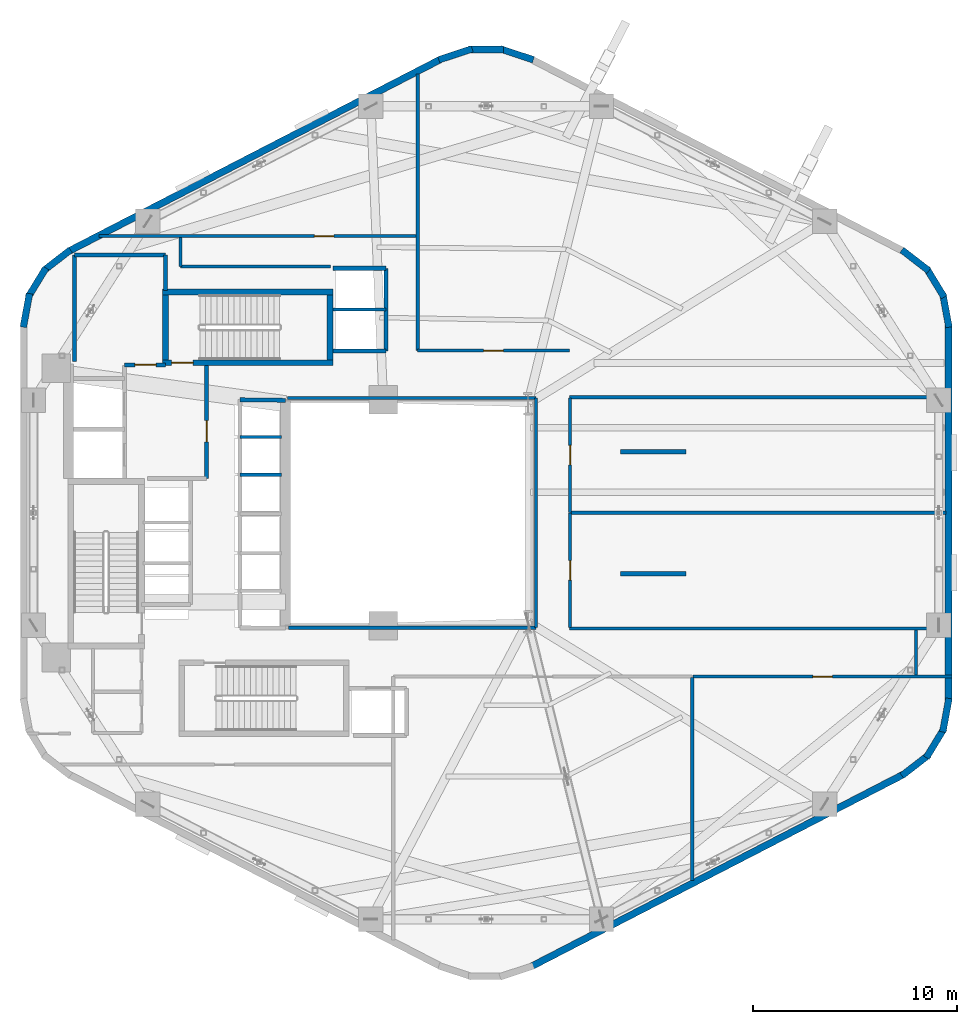
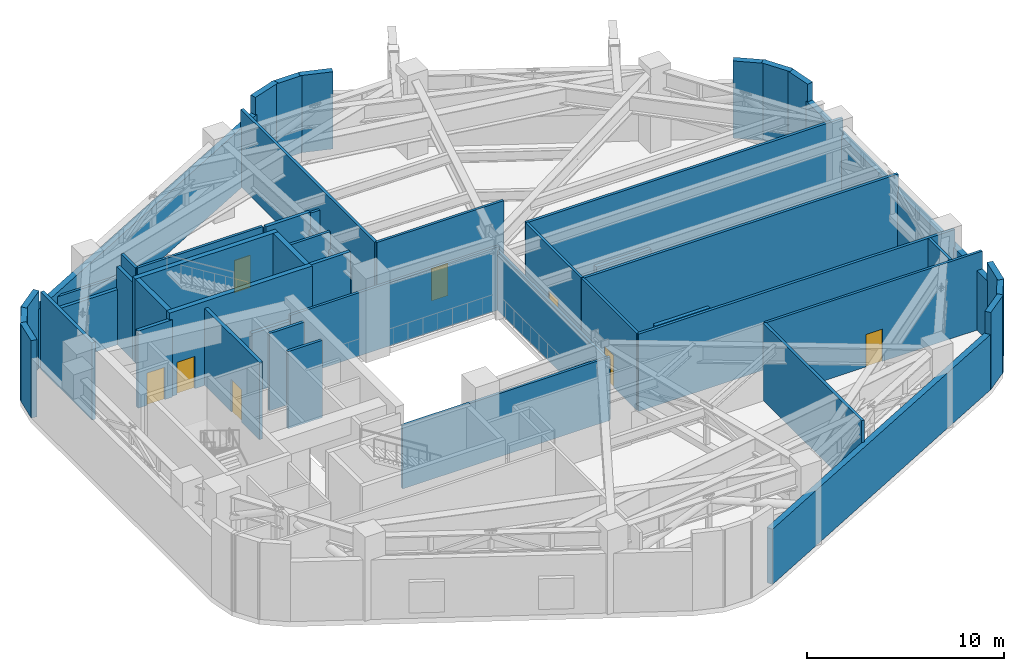
# One storey, part 11 of 14: 49 walls, 8 doors, 8 openings.
"""IFC4 building model written with IfcOpenShell, lengths in metres."""

from ifc_helpers import new_model, si_unit, direction, frame, frame_2d, origin, place, context, subcontext, project, spatial, rectangle, extrude, material, layer, layer_set, type_object, element, fill, save


model = new_model("IFC4")

# Units and contexts
model_context = context("Model", 3, precision=1e-05, world=origin(), true_north=direction((0.0, 1.0)))
body_context = subcontext(model_context, "Body", "Model", "MODEL_VIEW")
ifc_project = project(units=[si_unit("LENGTHUNIT", "METRE"), si_unit("AREAUNIT", "SQUARE_METRE"), si_unit("VOLUMEUNIT", "CUBIC_METRE"), si_unit("PLANEANGLEUNIT", "RADIAN"), si_unit("MASSUNIT", "GRAM", prefix="KILO"), si_unit("THERMODYNAMICTEMPERATUREUNIT", "KELVIN"), si_unit("POWERUNIT", "WATT")], contexts=[model_context])

# Site, building, storey
site_placement = place(None, origin())
site = spatial("IfcSite", under=ifc_project, at=site_placement, CompositionType="ELEMENT")
building_placement = place(site_placement, origin())
building = spatial("IfcBuilding", under=site, at=building_placement, Name="Skarre Station Tower", CompositionType="ELEMENT")
storey_placement = place(building_placement, frame((0.0, 0.0, 96.35009765625)))
storey = spatial("IfcBuildingStorey", under=building, at=storey_placement, Name="L25", CompositionType="ELEMENT", Elevation=96.35009765625)

# Walls
ifc_material_1 = material(Name="Acoustic Steel-Stud Gypsum Partition", Category="steel")
ifc_layer_1 = layer(ifc_material_1, 0.14990234375, Name="Acoustic Steel-Stud Gypsum Partition")
ifc_layer_set_1 = layer_set([ifc_layer_1], Name="Acoustic Steel-Stud Gypsum Partition")
wall_type_1 = type_object("IfcWallType", Name="Fire-Rated Corridor Acoustic Partition 150", PredefinedType="PARTITIONING", material=ifc_layer_set_1)
wall_1_placement = place(storey_placement, frame((27.699951171875, 18.360107421875, 0.0), z_axis=(0.0, 0.0, 1.0), x_axis=(1.0, 0.0, 0.0)))
element("IfcWall", 1, at=wall_1_placement, inside=storey, type_object=wall_type_1, Name="L25 Interior Partition WL-PT-L25-ATRW-S", PredefinedType="PARTITIONING", context=body_context, shape_type="SweptSolid", body=[
    extrude(rectangle(XDim=12.14013671875, YDim=0.14990234375, at=frame_2d((6.070068359375, 0.0))), origin(), (0.0, 0.0, 1.0), 3.9208984375),
])
wall_2_placement = place(storey_placement, frame((39.840087890625, 29.639892578125, 0.0), z_axis=(0.0, 0.0, 1.0), x_axis=(-1.0, 0.0, 0.0)))
element("IfcWall", 2, at=wall_2_placement, inside=storey, type_object=wall_type_1, Name="L25 Interior Partition WL-PT-L25-ATRW-N", PredefinedType="PARTITIONING", context=body_context, shape_type="SweptSolid", body=[
    extrude(rectangle(XDim=12.2001953125, YDim=0.14990234375, at=frame_2d((6.10009765625, 0.0))), origin(), (0.0, 0.0, 1.0), 3.9208984375),
])
wall_3_placement = place(storey_placement, frame((39.840087890625, 18.360107421875, 0.0), z_axis=(0.0, 0.0, 1.0), x_axis=(0.0, 1.0, 0.0)))
element("IfcWall", 3, at=wall_3_placement, inside=storey, type_object=wall_type_1, Name="L25 Interior Partition WL-PT-L25-ATRW-E", PredefinedType="PARTITIONING", context=body_context, shape_type="SweptSolid", body=[
    extrude(rectangle(XDim=11.27978515625, YDim=0.14990234375, at=frame_2d((5.639892578125, 0.0))), origin(), (0.0, 0.0, 1.0), 3.68798828125),
])

# Wall, opening, door
wall_4_placement = place(storey_placement, frame((34.0, 37.580078125, 0.0), z_axis=(0.0, 0.0, 1.0), x_axis=(-1.0, 0.0, 0.0)))
wall_4 = element("IfcWall", 4, at=wall_4_placement, inside=storey, type_object=wall_type_1, Name="L25 Interior Partition WL-PT-L25-PLTNW1-CW", PredefinedType="PARTITIONING", context=body_context, shape_type="SweptSolid", body=[
    extrude(rectangle(XDim=15.60009765625, YDim=0.14990234375, at=frame_2d((7.800048828125, 0.0))), origin(), (0.0, 0.0, 1.0), 3.419921875),
])
opening_1_placement = place(wall_4_placement, frame((4.070068359375, 0.0, 0.0)))
opening_1 = element("IfcOpeningElement", 5, at=opening_1_placement, cuts=wall_4, Name="Opening DR-FD60", PredefinedType="OPENING", context=body_context, shape_type="SweptSolid", body=[
    extrude(rectangle(XDim=0.9599609375, YDim=2.0, at=frame_2d((0.47998046875, 1.0))), frame((0.0, 0.0849609375, 0.0), z_axis=(0.0, -1.0, 0.0), x_axis=(1.0, 0.0, 0.0)), (0.0, 0.0, 1.0), 0.169921875),
])
ifc_material_2 = material(Name="Nordic White-Oak Veneer Solid-Core Fire Leaf", Category="wood")
door_type_1 = type_object("IfcDoorType", Name="Corridor Suite Entry Fire Door FD60 960x2150", OperationType="SINGLE_SWING_LEFT", PredefinedType="DOOR", material=ifc_material_2)
door_1_placement = place(opening_1_placement, origin())
door_1 = element("IfcDoor", 6, at=door_1_placement, inside=storey, type_object=door_type_1, Name="L25 PLTNW1 Entry Door", OperationType="SINGLE_SWING_LEFT", OverallHeight=2.0, OverallWidth=0.9599609375, PredefinedType="DOOR", context=body_context, shape_type="SweptSolid", body=[
    extrude(rectangle(XDim=0.9599609375, YDim=2.0, at=frame_2d((0.47998046875, 1.0))), frame((0.0, 0.02490234375, 0.0), z_axis=(0.0, -1.0, 0.0), x_axis=(1.0, 0.0, 0.0)), (0.0, 0.0, 1.0), 0.050048828125),
])
fill(opening_1, door_1)

wall_5_placement = place(storey_placement, frame((41.47998046875, 31.9599609375, 0.0), z_axis=(0.0, 0.0, 1.0), x_axis=(-1.0, 0.0, 0.0)))
wall_5 = element("IfcWall", 7, at=wall_5_placement, inside=storey, type_object=wall_type_1, Name="L25 Interior Partition WL-PT-L25-PLTN1-CW", PredefinedType="PARTITIONING", context=body_context, shape_type="SweptSolid", body=[
    extrude(rectangle(XDim=7.43994140625, YDim=0.14990234375, at=frame_2d((3.719970703125, 0.0))), origin(), (0.0, 0.0, 1.0), 4.77978515625),
])
opening_2_placement = place(wall_5_placement, frame((3.239990234375, 0.0, 0.0)))
opening_2 = element("IfcOpeningElement", 8, at=opening_2_placement, cuts=wall_5, Name="Opening DR-FD60", PredefinedType="OPENING", context=body_context, shape_type="SweptSolid", body=[
    extrude(rectangle(XDim=0.9599609375, YDim=2.0, at=frame_2d((0.47998046875, 1.0))), frame((0.0, 0.0849609375, 0.0), z_axis=(0.0, -1.0, 0.0), x_axis=(1.0, 0.0, 0.0)), (0.0, 0.0, 1.0), 0.169921875),
])
door_2_placement = place(opening_2_placement, origin())
door_2 = element("IfcDoor", 9, at=door_2_placement, inside=storey, type_object=door_type_1, Name="L25 PLTN1 Entry Door", OperationType="SINGLE_SWING_LEFT", OverallHeight=2.0, OverallWidth=0.9599609375, PredefinedType="DOOR", context=body_context, shape_type="SweptSolid", body=[
    extrude(rectangle(XDim=0.9599609375, YDim=2.0, at=frame_2d((0.47998046875, 1.0))), frame((0.0, 0.02490234375, 0.0), z_axis=(0.0, -1.0, 0.0), x_axis=(1.0, 0.0, 0.0)), (0.0, 0.0, 1.0), 0.050048828125),
])
fill(opening_2, door_2)

wall_6_placement = place(storey_placement, frame((41.52001953125, 18.360107421875, 0.0), z_axis=(0.0, 0.0, 1.0), x_axis=(0.0, 1.0, 0.0)))
wall_6 = element("IfcWall", 10, at=wall_6_placement, inside=storey, type_object=wall_type_1, Name="L25 Interior Partition WL-PT-L25-PLTE1-CW", PredefinedType="PARTITIONING", context=body_context, shape_type="SweptSolid", body=[
    extrude(rectangle(XDim=5.621826171875, YDim=0.14990234375, at=frame_2d((2.81103515625, 0.0))), origin(), (0.0, 0.0, 1.0), 4.77978515625),
])
opening_3_placement = place(wall_6_placement, frame((2.3310546875, 0.0, 0.0)))
opening_3 = element("IfcOpeningElement", 11, at=opening_3_placement, cuts=wall_6, Name="Opening DR-FD60", PredefinedType="OPENING", context=body_context, shape_type="SweptSolid", body=[
    extrude(rectangle(XDim=0.9599609375, YDim=2.0, at=frame_2d((0.47998046875, 1.0))), frame((0.0, 0.0849609375, 0.0), z_axis=(0.0, -1.0, 0.0), x_axis=(1.0, 0.0, 0.0)), (0.0, 0.0, 1.0), 0.169921875),
])
door_3_placement = place(opening_3_placement, origin())
door_3 = element("IfcDoor", 12, at=door_3_placement, inside=storey, type_object=door_type_1, Name="L25 PLTE1 Entry Door", OperationType="SINGLE_SWING_LEFT", OverallHeight=2.0, OverallWidth=0.9599609375, PredefinedType="DOOR", context=body_context, shape_type="SweptSolid", body=[
    extrude(rectangle(XDim=0.9599609375, YDim=2.0, at=frame_2d((0.47998046875, 1.0))), frame((0.0, 0.02490234375, 0.0), z_axis=(0.0, -1.0, 0.0), x_axis=(1.0, 0.0, 0.0)), (0.0, 0.0, 1.0), 0.050048828125),
])
fill(opening_3, door_3)

wall_7_placement = place(storey_placement, frame((41.52001953125, 24.01806640625, 0.0), z_axis=(0.0, 0.0, 1.0), x_axis=(0.0, 1.0, 0.0)))
wall_7 = element("IfcWall", 13, at=wall_7_placement, inside=storey, type_object=wall_type_1, Name="L25 Interior Partition WL-PT-L25-PLTE2-CW", PredefinedType="PARTITIONING", context=body_context, shape_type="SweptSolid", body=[
    extrude(rectangle(XDim=5.621826171875, YDim=0.14990234375, at=frame_2d((2.81103515625, 0.0))), origin(), (0.0, 0.0, 1.0), 4.77978515625),
])
opening_4_placement = place(wall_7_placement, frame((2.3310546875, 0.0, 0.0)))
opening_4 = element("IfcOpeningElement", 14, at=opening_4_placement, cuts=wall_7, Name="Opening DR-FD60", PredefinedType="OPENING", context=body_context, shape_type="SweptSolid", body=[
    extrude(rectangle(XDim=0.9599609375, YDim=2.0, at=frame_2d((0.47998046875, 1.0))), frame((0.0, 0.0849609375, 0.0), z_axis=(0.0, -1.0, 0.0), x_axis=(1.0, 0.0, 0.0)), (0.0, 0.0, 1.0), 0.169921875),
])
door_4_placement = place(opening_4_placement, origin())
door_4 = element("IfcDoor", 15, at=door_4_placement, inside=storey, type_object=door_type_1, Name="L25 PLTE2 Entry Door", OperationType="SINGLE_SWING_LEFT", OverallHeight=2.0, OverallWidth=0.9599609375, PredefinedType="DOOR", context=body_context, shape_type="SweptSolid", body=[
    extrude(rectangle(XDim=0.9599609375, YDim=2.0, at=frame_2d((0.47998046875, 1.0))), frame((0.0, 0.02490234375, 0.0), z_axis=(0.0, -1.0, 0.0), x_axis=(1.0, 0.0, 0.0)), (0.0, 0.0, 1.0), 0.050048828125),
])
fill(opening_4, door_4)

wall_8_placement = place(storey_placement, frame((47.541015625, 15.9599609375, 0.0), z_axis=(0.0, 0.0, 1.0), x_axis=(1.0, 0.0, 0.0)))
wall_8 = element("IfcWall", 16, at=wall_8_placement, inside=storey, type_object=wall_type_1, Name="L25 Interior Partition WL-PT-L25-PLTS2-CW", PredefinedType="PARTITIONING", context=body_context, shape_type="SweptSolid", body=[
    extrude(rectangle(XDim=12.7119140625, YDim=0.14990234375, at=frame_2d((6.35595703125, 0.0))), origin(), (0.0, 0.0, 1.0), 4.77978515625),
])
opening_5_placement = place(wall_8_placement, frame((5.889892578125, 0.0, 0.0)))
opening_5 = element("IfcOpeningElement", 17, at=opening_5_placement, cuts=wall_8, Name="Opening DR-FD60", PredefinedType="OPENING", context=body_context, shape_type="SweptSolid", body=[
    extrude(rectangle(XDim=0.9599609375, YDim=2.0, at=frame_2d((0.47998046875, 1.0))), frame((0.0, 0.0849609375, 0.0), z_axis=(0.0, -1.0, 0.0), x_axis=(1.0, 0.0, 0.0)), (0.0, 0.0, 1.0), 0.169921875),
])
door_5_placement = place(opening_5_placement, origin())
door_5 = element("IfcDoor", 18, at=door_5_placement, inside=storey, type_object=door_type_1, Name="L25 PLTS2 Entry Door", OperationType="SINGLE_SWING_LEFT", OverallHeight=2.0, OverallWidth=0.9599609375, PredefinedType="DOOR", context=body_context, shape_type="SweptSolid", body=[
    extrude(rectangle(XDim=0.9599609375, YDim=2.0, at=frame_2d((0.47998046875, 1.0))), frame((0.0, 0.02490234375, 0.0), z_axis=(0.0, -1.0, 0.0), x_axis=(1.0, 0.0, 0.0)), (0.0, 0.0, 1.0), 0.050048828125),
])
fill(opening_5, door_5)

# Walls
wall_9_placement = place(storey_placement, frame((29.7529296875, 36.080078125, 0.0), z_axis=(0.0, 0.0, 1.0), x_axis=(-1.0, 0.0, 0.0)))
element("IfcWall", 19, at=wall_9_placement, inside=storey, type_object=wall_type_1, Name="L25 Interior Partition WL-PT-L25-CSEAL-1", PredefinedType="PARTITIONING", context=body_context, shape_type="SweptSolid", body=[
    extrude(rectangle(XDim=7.35302734375, YDim=0.14990234375, at=frame_2d((3.676513671875, 0.0))), origin(), (0.0, 0.0, 1.0), 4.77978515625),
])
wall_10_placement = place(storey_placement, frame((22.39990234375, 36.080078125, 0.0), z_axis=(0.0, 0.0, 1.0), x_axis=(0.0, 1.0, 0.0)))
element("IfcWall", 20, at=wall_10_placement, inside=storey, type_object=wall_type_1, Name="L25 Interior Partition WL-PT-L25-CSEAL-2", PredefinedType="PARTITIONING", context=body_context, shape_type="SweptSolid", body=[
    extrude(rectangle(XDim=1.429931640625, YDim=0.14990234375, at=frame_2d((0.71484375, 0.0))), origin(), (0.0, 0.0, 1.0), 4.77978515625),
])
wall_11_placement = place(storey_placement, frame((58.5, 18.241943359375, 0.0), z_axis=(0.0, 0.0, 1.0), x_axis=(0.0, -1.0, 0.0)))
element("IfcWall", 21, at=wall_11_placement, inside=storey, type_object=wall_type_1, Name="L25 Interior Partition WL-PT-L25-CSEAL-3", PredefinedType="PARTITIONING", context=body_context, shape_type="SweptSolid", body=[
    extrude(rectangle(XDim=2.2119140625, YDim=0.14990234375, at=frame_2d((1.10595703125, 0.0))), origin(), (0.0, 0.0, 1.0), 4.77978515625),
])
ifc_material_3 = material(Name="Precast concrete C40/50", Category="concrete")
ifc_layer_2 = layer(ifc_material_3, 0.219970703125, Name="Precast concrete C40/50")
ifc_layer_set_2 = layer_set([ifc_layer_2], Name="Precast concrete C40/50")
wall_type_2 = type_object("IfcWallType", Name="Mechanical Acoustic Enclosure Wall 220", PredefinedType="SOLIDWALL", material=ifc_layer_set_2)
for number, where, z_axis, x_axis, name in (
    (22, (44.0, 21.0, 0.0), (0.0, 0.0, 1.0), (1.0, 0.0, 0.0), "L25 Chiller Acoustic Baffle Wall 1"),
    (23, (44.0, 27.0, 0.0), (0.0, 0.0, 1.0), (1.0, 0.0, 0.0), "L25 Chiller Acoustic Baffle Wall 2"),
):
    element("IfcWall", number, at=place(storey_placement, frame(where, z_axis=z_axis, x_axis=x_axis)), inside=storey, type_object=wall_type_2, Name=name, PredefinedType="SOLIDWALL", context=body_context, shape_type="SweptSolid", body=[
        extrude(rectangle(XDim=3.199951171875, YDim=0.219970703125, at=frame_2d((1.60009765625, 0.0))), origin(), (0.0, 0.0, 1.0), 2.7998046875),
    ])
ifc_material_4 = material(Name="Precast concrete C45/55", Category="concrete")
ifc_layer_3 = layer(ifc_material_4, 0.340087890625, Name="Precast concrete C45/55")
ifc_layer_set_3 = layer_set([ifc_layer_3], Name="Precast concrete C45/55")
wall_type_3 = type_object("IfcWallType", Name="Nordic Honed Precast Facet Wall 340", PredefinedType="STANDARD", material=ifc_layer_set_3)
wall_12_placement = place(storey_placement, frame((16.924072265625, 36.841064453125, 0.0), z_axis=(0.0, 0.0, 1.0), x_axis=(0.888634413993, 0.458616264721, 0.0)))
element("IfcWall", 24, at=wall_12_placement, inside=storey, type_object=wall_type_3, Name="L25 Facet 1 Nordic Precast Masonry Wall", PredefinedType="STANDARD", context=body_context, shape_type="SweptSolid", body=[
    extrude(rectangle(XDim=20.53125, YDim=0.340087890625, at=frame_2d((10.265625, 0.0))), origin(), (0.0, 0.0, 1.0), 3.68798828125),
])
wall_13_placement = place(storey_placement, frame((57.8759765625, 11.158935546875, 0.0), z_axis=(0.0, 0.0, 1.0), x_axis=(-0.888634413993, -0.458616264721, 0.0)))
element("IfcWall", 25, at=wall_13_placement, inside=storey, type_object=wall_type_3, Name="L25 Facet 4 Nordic Precast Masonry Wall", PredefinedType="STANDARD", context=body_context, shape_type="SweptSolid", body=[
    extrude(rectangle(XDim=20.53125, YDim=0.340087890625, at=frame_2d((10.265625, 0.0))), origin(), (0.0, 0.0, 1.0), 3.419921875),
])
wall_14_placement = place(storey_placement, frame((60.093017578125, 33.201904296875, 0.0), z_axis=(0.0, 0.0, 1.0), x_axis=(0.0, -1.0, 0.0)))
element("IfcWall", 26, at=wall_14_placement, inside=storey, type_object=wall_type_3, Name="L25 Facet 5 Nordic Precast Masonry Wall", PredefinedType="STANDARD", context=body_context, shape_type="SweptSolid", body=[
    extrude(rectangle(XDim=18.40380859375, YDim=0.340087890625, at=frame_2d((9.201904296875, 0.0))), origin(), (0.0, 0.0, 1.0), 3.68798828125),
])
ifc_layer_4 = layer(ifc_material_4, 0.330078125, Name="Precast concrete C45/55")
ifc_layer_set_4 = layer_set([ifc_layer_4], Name="Precast concrete C45/55")
wall_type_4 = type_object("IfcWallType", Name="Nordic Rounded Corner Precast Wall 330", PredefinedType="STANDARD", material=ifc_layer_set_4)
wall_15_placement = place(storey_placement, frame((57.802001953125, 36.90087890625, 0.0), z_axis=(0.0, 0.0, 1.0), x_axis=(0.790691856293, -0.61221433207, 0.0)))
element("IfcWall", 27, at=wall_15_placement, inside=storey, type_object=wall_type_4, Name="L25 Rounded Corner Precast Wall F0-1", PredefinedType="STANDARD", context=body_context, shape_type="SweptSolid", body=[
    extrude(rectangle(XDim=1.67578125, YDim=0.330078125, at=frame_2d((0.837890625, 0.0))), origin(), (0.0, 0.0, 1.0), 4.77978515625),
])
wall_16_placement = place(storey_placement, frame((59.001953125, 36.014892578125, 0.0), z_axis=(0.0, 0.0, 1.0), x_axis=(0.520584129191, -0.853810379671, 0.0)))
element("IfcWall", 28, at=wall_16_placement, inside=storey, type_object=wall_type_4, Name="L25 Rounded Corner Precast Wall F0-2", PredefinedType="STANDARD", context=body_context, shape_type="SweptSolid", body=[
    extrude(rectangle(XDim=1.677001953125, YDim=0.330078125, at=frame_2d((0.83837890625, 0.0))), origin(), (0.0, 0.0, 1.0), 4.77978515625),
])
wall_17_placement = place(storey_placement, frame((59.80810546875, 34.758056640625, 0.0), z_axis=(0.0, 0.0, 1.0), x_axis=(0.181714143354, -0.983351397063, 0.0)))
element("IfcWall", 29, at=wall_17_placement, inside=storey, type_object=wall_type_4, Name="L25 Rounded Corner Precast Wall F0-3", PredefinedType="STANDARD", context=body_context, shape_type="SweptSolid", body=[
    extrude(rectangle(XDim=1.677978515625, YDim=0.330078125, at=frame_2d((0.8388671875, 0.0))), origin(), (0.0, 0.0, 1.0), 4.77978515625),
])
wall_18_placement = place(storey_placement, frame((35.0810546875, 46.23095703125, 0.0), z_axis=(0.0, 0.0, 1.0), x_axis=(0.94976901097, 0.312951794691, 0.0)))
element("IfcWall", 30, at=wall_18_placement, inside=storey, type_object=wall_type_4, Name="L25 Rounded Corner Precast Wall F1-1", PredefinedType="STANDARD", context=body_context, shape_type="SweptSolid", body=[
    extrude(rectangle(XDim=1.722412109375, YDim=0.330078125, at=frame_2d((0.861328125, 0.0))), origin(), (0.0, 0.0, 1.0), 4.77978515625),
])
wall_19_placement = place(storey_placement, frame((36.5390625, 46.740966796875, 0.0), z_axis=(0.0, 0.0, 1.0), x_axis=(1.0, 0.0, 0.0)))
element("IfcWall", 31, at=wall_19_placement, inside=storey, type_object=wall_type_4, Name="L25 Rounded Corner Precast Wall F1-2", PredefinedType="STANDARD", context=body_context, shape_type="SweptSolid", body=[
    extrude(rectangle(XDim=1.721923828125, YDim=0.330078125, at=frame_2d((0.86083984375, 0.0))), origin(), (0.0, 0.0, 1.0), 4.77978515625),
])
wall_20_placement = place(storey_placement, frame((38.0830078125, 46.77001953125, 0.0), z_axis=(0.0, 0.0, 1.0), x_axis=(0.94976901097, -0.312951794691, 0.0)))
element("IfcWall", 32, at=wall_20_placement, inside=storey, type_object=wall_type_4, Name="L25 Rounded Corner Precast Wall F1-3", PredefinedType="STANDARD", context=body_context, shape_type="SweptSolid", body=[
    extrude(rectangle(XDim=1.722412109375, YDim=0.330078125, at=frame_2d((0.861328125, 0.0))), origin(), (0.0, 0.0, 1.0), 4.77978515625),
])
wall_21_placement = place(storey_placement, frame((14.68701171875, 33.10791015625, 0.0), z_axis=(0.0, 0.0, 1.0), x_axis=(0.181714143354, 0.983351397063, 0.0)))
element("IfcWall", 33, at=wall_21_placement, inside=storey, type_object=wall_type_4, Name="L25 Rounded Corner Precast Wall F2-1", PredefinedType="STANDARD", context=body_context, shape_type="SweptSolid", body=[
    extrude(rectangle(XDim=1.677978515625, YDim=0.330078125, at=frame_2d((0.8388671875, 0.0))), origin(), (0.0, 0.0, 1.0), 4.77978515625),
])
wall_22_placement = place(storey_placement, frame((14.925048828125, 34.5830078125, 0.0), z_axis=(0.0, 0.0, 1.0), x_axis=(0.520584129191, 0.853810379671, 0.0)))
element("IfcWall", 34, at=wall_22_placement, inside=storey, type_object=wall_type_4, Name="L25 Rounded Corner Precast Wall F2-2", PredefinedType="STANDARD", context=body_context, shape_type="SweptSolid", body=[
    extrude(rectangle(XDim=1.677001953125, YDim=0.330078125, at=frame_2d((0.83837890625, 0.0))), origin(), (0.0, 0.0, 1.0), 4.77978515625),
])
wall_23_placement = place(storey_placement, frame((15.673095703125, 35.875, 0.0), z_axis=(0.0, 0.0, 1.0), x_axis=(0.790691856293, 0.61221433207, 0.0)))
element("IfcWall", 35, at=wall_23_placement, inside=storey, type_object=wall_type_4, Name="L25 Rounded Corner Precast Wall F2-3", PredefinedType="STANDARD", context=body_context, shape_type="SweptSolid", body=[
    extrude(rectangle(XDim=1.67578125, YDim=0.330078125, at=frame_2d((0.837890625, 0.0))), origin(), (0.0, 0.0, 1.0), 4.77978515625),
])
wall_24_placement = place(storey_placement, frame((60.113037109375, 14.89208984375, 0.0), z_axis=(0.0, 0.0, 1.0), x_axis=(-0.181714143354, -0.983351397063, 0.0)))
element("IfcWall", 36, at=wall_24_placement, inside=storey, type_object=wall_type_4, Name="L25 Rounded Corner Precast Wall F5-1", PredefinedType="STANDARD", context=body_context, shape_type="SweptSolid", body=[
    extrude(rectangle(XDim=1.677978515625, YDim=0.330078125, at=frame_2d((0.8388671875, 0.0))), origin(), (0.0, 0.0, 1.0), 4.77978515625),
])
wall_25_placement = place(storey_placement, frame((59.875, 13.4169921875, 0.0), z_axis=(0.0, 0.0, 1.0), x_axis=(-0.520584129191, -0.853810379671, 0.0)))
element("IfcWall", 37, at=wall_25_placement, inside=storey, type_object=wall_type_4, Name="L25 Rounded Corner Precast Wall F5-2", PredefinedType="STANDARD", context=body_context, shape_type="SweptSolid", body=[
    extrude(rectangle(XDim=1.677001953125, YDim=0.330078125, at=frame_2d((0.83837890625, 0.0))), origin(), (0.0, 0.0, 1.0), 4.77978515625),
])
wall_26_placement = place(storey_placement, frame((59.126953125, 12.125, 0.0), z_axis=(0.0, 0.0, 1.0), x_axis=(-0.790691856293, -0.61221433207, 0.0)))
element("IfcWall", 38, at=wall_26_placement, inside=storey, type_object=wall_type_4, Name="L25 Rounded Corner Precast Wall F5-3", PredefinedType="STANDARD", context=body_context, shape_type="SweptSolid", body=[
    extrude(rectangle(XDim=1.67578125, YDim=0.330078125, at=frame_2d((0.837890625, 0.0))), origin(), (0.0, 0.0, 1.0), 4.77978515625),
])

# Wall, opening, door
ifc_material_5 = material(Name="Concrete C50/60", Category="concrete")
ifc_layer_5 = layer(ifc_material_5, 0.280029296875, Name="Concrete C50/60")
ifc_layer_set_5 = layer_set([ifc_layer_5], Name="Concrete C50/60")
wall_type_5 = type_object("IfcWallType", Name="RC Core Shear Wall 280", PredefinedType="SHEAR", material=ifc_layer_set_5)
wall_27_placement = place(storey_placement, frame((21.52001953125, 31.360107421875, 0.0), z_axis=(0.0, 0.0, 1.0), x_axis=(1.0, 0.0, 0.0)))
wall_27 = element("IfcWall", 39, at=wall_27_placement, inside=storey, type_object=wall_type_5, Name="L25 Stair ST-3 South Shear Wall", PredefinedType="SHEAR", context=body_context, shape_type="SweptSolid", body=[
    extrude(rectangle(XDim=8.35986328125, YDim=0.280029296875, at=frame_2d((4.179931640625, 0.0))), origin(), (0.0, 0.0, 1.0), 5.199951171875),
])
opening_6_placement = place(wall_27_placement, frame((0.449951171875, 0.0, 0.0)))
opening_6 = element("IfcOpeningElement", 40, at=opening_6_placement, cuts=wall_27, Name="Opening DR-FD90", PredefinedType="OPENING", context=body_context, shape_type="SweptSolid", body=[
    extrude(rectangle(XDim=1.050048828125, YDim=2.0, at=frame_2d((0.52490234375, 1.0))), frame((0.0, 0.14990234375, 0.0), z_axis=(0.0, -1.0, 0.0), x_axis=(1.0, 0.0, 0.0)), (0.0, 0.0, 1.0), 0.300048828125),
])
ifc_material_6 = material(Name="Fire-Rated Insulated Steel Frame & Timber Core Leaf", Category="steel")
door_type_2 = type_object("IfcDoorType", Name="Stair & FSAE Lobby Fire Door FD90 1050x2150", OperationType="SINGLE_SWING_RIGHT", PredefinedType="DOOR", material=ifc_material_6)
door_6_placement = place(opening_6_placement, origin())
door_6 = element("IfcDoor", 41, at=door_6_placement, inside=storey, type_object=door_type_2, Name="L25 Stair ST-3 & FSAE Lobby Direct Exit Door", OperationType="SINGLE_SWING_LEFT", OverallHeight=2.0, OverallWidth=1.050048828125, PredefinedType="DOOR", context=body_context, shape_type="SweptSolid", body=[
    extrude(rectangle(XDim=1.050048828125, YDim=2.0, at=frame_2d((0.52490234375, 1.0))), frame((0.0, 0.02490234375, 0.0), z_axis=(0.0, -1.0, 0.0), x_axis=(1.0, 0.0, 0.0)), (0.0, 0.0, 1.0), 0.050048828125),
])
fill(opening_6, door_6)

# Walls
wall_28_placement = place(storey_placement, frame((29.8798828125, 34.840087890625, 0.0), z_axis=(0.0, 0.0, 1.0), x_axis=(-1.0, 0.0, 0.0)))
element("IfcWall", 42, at=wall_28_placement, inside=storey, type_object=wall_type_5, Name="L25 Stair ST-3 North Shear Wall", PredefinedType="SHEAR", context=body_context, shape_type="SweptSolid", body=[
    extrude(rectangle(XDim=8.35986328125, YDim=0.280029296875, at=frame_2d((4.179931640625, 0.0))), origin(), (0.0, 0.0, 1.0), 5.199951171875),
])
for number, where, z_axis, x_axis, name in (
    (43, (21.659912109375, 34.699951171875, 0.0), (0.0, 0.0, 1.0), (0.0, -1.0, 0.0), "L25 Stair ST-3 West Shear Wall"),
    (44, (29.739990234375, 31.5, 0.0), (0.0, 0.0, 1.0), (0.0, 1.0, 0.0), "L25 Stair ST-3 East Shear Wall"),
):
    element("IfcWall", number, at=place(storey_placement, frame(where, z_axis=z_axis, x_axis=x_axis)), inside=storey, type_object=wall_type_5, Name=name, PredefinedType="SHEAR", context=body_context, shape_type="SweptSolid", body=[
        extrude(rectangle(XDim=3.199951171875, YDim=0.280029296875, at=frame_2d((1.60009765625, 0.0))), origin(), (0.0, 0.0, 1.0), 5.199951171875),
    ])

# Wall, opening, door
ifc_material_7 = material(Name="Gypsum Concrete Shaft Assembly C30/37", Category="concrete")
ifc_layer_6 = layer(ifc_material_7, 0.199951171875, Name="Gypsum Concrete Shaft Assembly C30/37")
ifc_layer_set_6 = layer_set([ifc_layer_6], Name="Gypsum Concrete Shaft Assembly C30/37")
wall_type_6 = type_object("IfcWallType", Name="Shaft & Core Fire Partition 200", PredefinedType="PARTITIONING", material=ifc_layer_set_6)
wall_29_placement = place(storey_placement, frame((23.679931640625, 25.679931640625, 0.0), z_axis=(0.0, 0.0, 1.0), x_axis=(0.0, 1.0, 0.0)))
wall_29 = element("IfcWall", 45, at=wall_29_placement, inside=storey, type_object=wall_type_6, Name="L25 Interior Partition WL-PT-L25-FSAE-E", PredefinedType="PARTITIONING", context=body_context, shape_type="SweptSolid", body=[
    extrude(rectangle(XDim=5.5400390625, YDim=0.199951171875, at=frame_2d((2.77001953125, 0.0))), origin(), (0.0, 0.0, 1.0), 4.77978515625),
])
opening_7_placement = place(wall_29_placement, frame((1.800048828125, 0.0, 0.0)))
opening_7 = element("IfcOpeningElement", 46, at=opening_7_placement, cuts=wall_29, Name="Opening DR-FD90", PredefinedType="OPENING", context=body_context, shape_type="SweptSolid", body=[
    extrude(rectangle(XDim=1.050048828125, YDim=2.0, at=frame_2d((0.52490234375, 1.0))), frame((0.0, 0.10986328125, 0.0), z_axis=(0.0, -1.0, 0.0), x_axis=(1.0, 0.0, 0.0)), (0.0, 0.0, 1.0), 0.219970703125),
])
door_7_placement = place(opening_7_placement, origin())
door_7 = element("IfcDoor", 47, at=door_7_placement, inside=storey, type_object=door_type_2, Name="L25 FSAE Lobby Fire Door", OperationType="SINGLE_SWING_RIGHT", OverallHeight=2.0, OverallWidth=1.050048828125, PredefinedType="DOOR", context=body_context, shape_type="SweptSolid", body=[
    extrude(rectangle(XDim=1.050048828125, YDim=2.0, at=frame_2d((0.52490234375, 1.0))), frame((0.0, 0.02490234375, 0.0), z_axis=(0.0, -1.0, 0.0), x_axis=(1.0, 0.0, 0.0)), (0.0, 0.0, 1.0), 0.050048828125),
])
fill(opening_7, door_7)

wall_30_placement = place(storey_placement, frame((21.659912109375, 31.260009765625, 0.0), z_axis=(0.0, 0.0, 1.0), x_axis=(-1.0, 0.0, 0.0)))
wall_30 = element("IfcWall", 48, at=wall_30_placement, inside=storey, type_object=wall_type_6, Name="L25 Interior Partition WL-PT-L25-FSAE-N", PredefinedType="PARTITIONING", context=body_context, shape_type="SweptSolid", body=[
    extrude(rectangle(XDim=2.010009765625, YDim=0.199951171875, at=frame_2d((1.0048828125, 0.0))), origin(), (0.0, 0.0, 1.0), 4.77978515625),
])
opening_8_placement = place(wall_30_placement, frame((0.449951171875, 0.0, 0.0)))
opening_8 = element("IfcOpeningElement", 49, at=opening_8_placement, cuts=wall_30, Name="Opening DR-FD90", PredefinedType="OPENING", context=body_context, shape_type="SweptSolid", body=[
    extrude(rectangle(XDim=1.050048828125, YDim=2.0, at=frame_2d((0.52490234375, 1.0))), frame((0.0, 0.10986328125, 0.0), z_axis=(0.0, -1.0, 0.0), x_axis=(1.0, 0.0, 0.0)), (0.0, 0.0, 1.0), 0.219970703125),
])
door_8_placement = place(opening_8_placement, origin())
door_8 = element("IfcDoor", 50, at=door_8_placement, inside=storey, type_object=door_type_2, Name="L25 Area of Refuge Direct Stair Lobby Door", OperationType="SINGLE_SWING_LEFT", OverallHeight=2.0, OverallWidth=1.050048828125, PredefinedType="DOOR", context=body_context, shape_type="SweptSolid", body=[
    extrude(rectangle(XDim=1.050048828125, YDim=2.0, at=frame_2d((0.52490234375, 1.0))), frame((0.0, 0.02490234375, 0.0), z_axis=(0.0, -1.0, 0.0), x_axis=(1.0, 0.0, 0.0)), (0.0, 0.0, 1.0), 0.050048828125),
])
fill(opening_8, door_8)

# Walls
wall_31_placement = place(storey_placement, frame((32.47998046875, 31.949951171875, 0.0), z_axis=(0.0, 0.0, 1.0), x_axis=(0.0, 1.0, 0.0)))
element("IfcWall", 51, at=wall_31_placement, inside=storey, type_object=wall_type_6, Name="L25 Interior Partition WL-PT-L25-EX-E", PredefinedType="PARTITIONING", context=body_context, shape_type="SweptSolid", body=[
    extrude(rectangle(XDim=4.050048828125, YDim=0.199951171875, at=frame_2d((2.02490234375, 0.0))), origin(), (0.0, 0.0, 1.0), 3.68798828125),
])
for number, where, z_axis, x_axis, name in (
    (52, (29.8798828125, 36.0, 0.0), (0.0, 0.0, 1.0), (1.0, 0.0, 0.0), "L25 Interior Partition WL-PT-L25-EX-N"),
    (53, (32.47998046875, 31.949951171875, 0.0), (0.0, 0.0, 1.0), (-1.0, 0.0, 0.0), "L25 Interior Partition WL-PT-L25-EX-S"),
):
    element("IfcWall", number, at=place(storey_placement, frame(where, z_axis=z_axis, x_axis=x_axis)), inside=storey, type_object=wall_type_6, Name=name, PredefinedType="PARTITIONING", context=body_context, shape_type="SweptSolid", body=[
        extrude(rectangle(XDim=2.60009765625, YDim=0.199951171875, at=frame_2d((1.300048828125, 0.0))), origin(), (0.0, 0.0, 1.0), 4.77978515625),
    ])
wall_32_placement = place(storey_placement, frame((29.875, 33.97998046875, 0.0), z_axis=(0.0, 0.0, 1.0), x_axis=(1.0, 0.0, 0.0)))
element("IfcWall", 54, at=wall_32_placement, inside=storey, type_object=wall_type_6, Name="L25 Interior Partition WL-PT-L25-EX-DIV", PredefinedType="PARTITIONING", context=body_context, shape_type="SweptSolid", body=[
    extrude(rectangle(XDim=2.60498046875, YDim=0.159912109375, at=frame_2d((1.302490234375, 0.0))), origin(), (0.0, 0.0, 1.0), 4.77978515625),
])
wall_33_placement = place(storey_placement, frame((27.550048828125, 29.52001953125, 0.0), z_axis=(0.0, 0.0, 1.0), x_axis=(-0.999909343457, 0.013464949556, 0.0)))
element("IfcWall", 55, at=wall_33_placement, inside=storey, type_object=wall_type_6, Name="L25 Interior Partition WL-PT-L25-B12-N", PredefinedType="PARTITIONING", context=body_context, shape_type="SweptSolid", body=[
    extrude(rectangle(XDim=2.230224609375, YDim=0.199951171875, at=frame_2d((1.115234375, 0.0))), origin(), (0.0, 0.0, 1.0), 3.679931640625),
])
for number, where, z_axis, x_axis, name in (
    (56, (25.320068359375, 25.8701171875, 0.0), (0.0, 0.0, 1.0), (1.0, 0.0, 0.0), "L25 Interior Partition WL-PT-L25-B12-D258"),
    (57, (25.320068359375, 27.719970703125, 0.0), (0.0, 0.0, 1.0), (1.0, 0.0, 0.0), "L25 Interior Partition WL-PT-L25-B12-D277"),
):
    element("IfcWall", number, at=place(storey_placement, frame(where, z_axis=z_axis, x_axis=x_axis)), inside=storey, type_object=wall_type_6, Name=name, PredefinedType="PARTITIONING", context=body_context, shape_type="SweptSolid", body=[
        extrude(rectangle(XDim=2.030029296875, YDim=0.159912109375, at=frame_2d((1.01513671875, 0.0))), origin(), (0.0, 0.0, 1.0), 4.77978515625),
    ])
wall_34_placement = place(storey_placement, frame((17.199951171875, 36.64990234375, 0.0), z_axis=(0.0, 0.0, 1.0), x_axis=(0.0, -1.0, 0.0)))
element("IfcWall", 58, at=wall_34_placement, inside=storey, type_object=wall_type_6, Name="L25 Interior Partition WL-PT-L25-REF-W", PredefinedType="PARTITIONING", context=body_context, shape_type="SweptSolid", body=[
    extrude(rectangle(XDim=5.224853515625, YDim=0.199951171875, at=frame_2d((2.6123046875, 0.0))), origin(), (0.0, 0.0, 1.0), 4.77978515625),
])
wall_35_placement = place(storey_placement, frame((21.659912109375, 36.64990234375, 0.0), z_axis=(0.0, 0.0, 1.0), x_axis=(-1.0, 0.0, 0.0)))
element("IfcWall", 59, at=wall_35_placement, inside=storey, type_object=wall_type_6, Name="L25 Interior Partition WL-PT-L25-REF-N", PredefinedType="PARTITIONING", context=body_context, shape_type="SweptSolid", body=[
    extrude(rectangle(XDim=4.4599609375, YDim=0.199951171875, at=frame_2d((2.22998046875, 0.0))), origin(), (0.0, 0.0, 1.0), 3.419921875),
])
wall_36_placement = place(storey_placement, frame((21.659912109375, 34.9150390625, 0.0), z_axis=(0.0, 0.0, 1.0), x_axis=(0.0, 1.0, 0.0)))
element("IfcWall", 60, at=wall_36_placement, inside=storey, type_object=wall_type_6, Name="L25 Interior Partition WL-PT-L25-REF-E", PredefinedType="PARTITIONING", context=body_context, shape_type="SweptSolid", body=[
    extrude(rectangle(XDim=1.73486328125, YDim=0.199951171875, at=frame_2d((0.867431640625, 0.0))), origin(), (0.0, 0.0, 1.0), 4.77978515625),
])
ifc_layer_7 = layer(ifc_material_1, 0.1650390625, Name="Acoustic Steel-Stud Gypsum Partition")
ifc_layer_set_7 = layer_set([ifc_layer_7], Name="Acoustic Steel-Stud Gypsum Partition")
wall_type_7 = type_object("IfcWallType", Name="Suite Demising Acoustic Partition 165", PredefinedType="PARTITIONING", material=ifc_layer_set_7)
wall_37_placement = place(storey_placement, frame((34.0400390625, 31.9599609375, 0.0), z_axis=(0.0, 0.0, 1.0), x_axis=(0.0, 1.0, 0.0)))
element("IfcWall", 61, at=wall_37_placement, inside=storey, type_object=wall_type_7, Name="L25 Interior Partition WL-PT-L25-PLTN-WBND", PredefinedType="PARTITIONING", context=body_context, shape_type="SweptSolid", body=[
    extrude(rectangle(XDim=13.5791015625, YDim=0.1650390625, at=frame_2d((6.78955078125, 0.0))), origin(), (0.0, 0.0, 1.0), 4.77978515625),
])
for number, where, z_axis, x_axis, name in (
    (62, (41.47998046875, 18.320068359375, 0.0), (0.0, 0.0, 1.0), (1.0, 0.0, 0.0), "L25 Interior Partition WL-PT-L25-PLTE-S"),
    (63, (41.47998046875, 29.679931640625, 0.0), (0.0, 0.0, 1.0), (1.0, 0.0, 0.0), "L25 Interior Partition WL-PT-L25-PLTE-N"),
):
    element("IfcWall", number, at=place(storey_placement, frame(where, z_axis=z_axis, x_axis=x_axis)), inside=storey, type_object=wall_type_7, Name=name, PredefinedType="PARTITIONING", context=body_context, shape_type="SweptSolid", body=[
        extrude(rectangle(XDim=18.532958984375, YDim=0.1650390625, at=frame_2d((9.2666015625, 0.0))), origin(), (0.0, 0.0, 1.0), 4.77978515625),
    ])
wall_38_placement = place(storey_placement, frame((41.550048828125, 24.0, 0.0), z_axis=(0.0, 0.0, 1.0), x_axis=(1.0, 0.0, 0.0)))
element("IfcWall", 64, at=wall_38_placement, inside=storey, type_object=wall_type_7, Name="L25 Interior Partition WL-PT-L25-PLTE-P1", PredefinedType="PARTITIONING", context=body_context, shape_type="SweptSolid", body=[
    extrude(rectangle(XDim=18.4228515625, YDim=0.1650390625, at=frame_2d((9.21142578125, 0.0))), origin(), (0.0, 0.0, 1.0), 4.77978515625),
])
wall_39_placement = place(storey_placement, frame((47.52294921875, 5.950927734375, 0.0), z_axis=(0.0, 0.0, 1.0), x_axis=(0.0, 1.0, 0.0)))
element("IfcWall", 65, at=wall_39_placement, inside=storey, type_object=wall_type_7, Name="L25 Interior Partition WL-PT-L25-PLTS-P1", PredefinedType="PARTITIONING", context=body_context, shape_type="SweptSolid", body=[
    extrude(rectangle(XDim=9.97900390625, YDim=0.1650390625, at=frame_2d((4.989501953125, 0.0))), origin(), (0.0, 0.0, 1.0), 4.77978515625),
])

save(model, "model.ifc")
